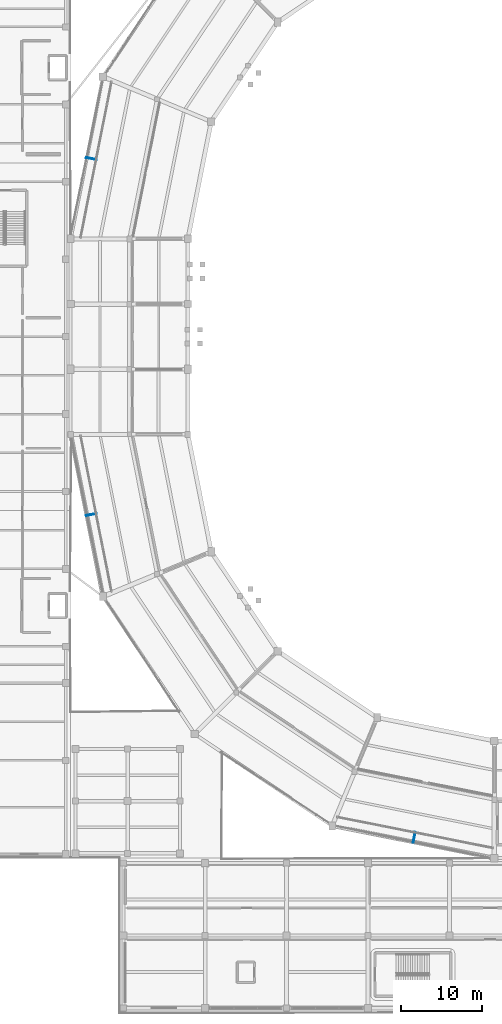
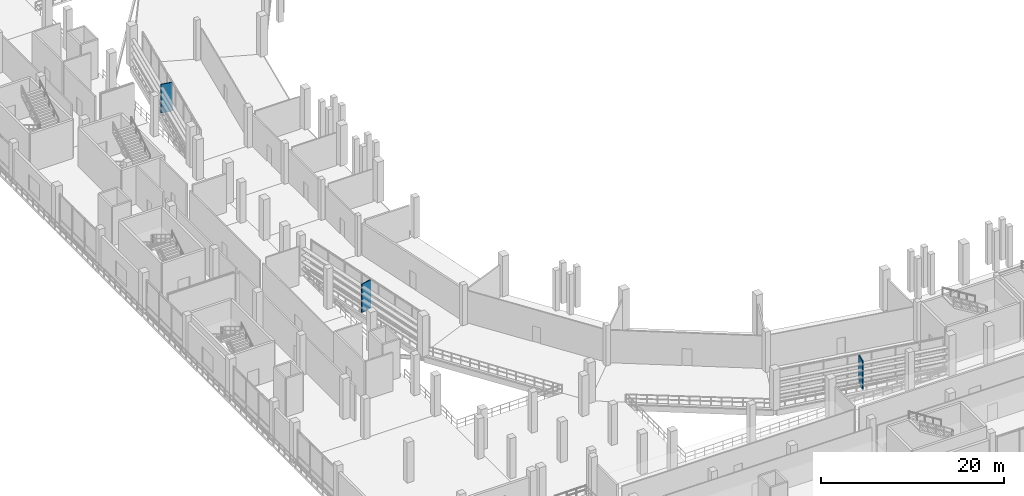
# One storey, part 88 of 114: 3 discrete accessories.
"""IFC4 building model written with IfcOpenShell, lengths in metres."""

from ifc_helpers import new_model, si_unit, direction, frame, origin, origin_2d, place, context, subcontext, project, spatial, rectangle, extrude, material, type_object, element, save


model = new_model("IFC4")

# Units and contexts
model_context = context("Model", 3, precision=1e-05, world=origin(), true_north=direction((0.0, 1.0)))
body_context = subcontext(model_context, "Body", "Model", "MODEL_VIEW")
ifc_project = project(units=[si_unit("LENGTHUNIT", "METRE"), si_unit("AREAUNIT", "SQUARE_METRE"), si_unit("VOLUMEUNIT", "CUBIC_METRE"), si_unit("PLANEANGLEUNIT", "RADIAN"), si_unit("MASSUNIT", "GRAM", prefix="KILO")], contexts=[model_context])

# Site, building, storey
site_placement = place(None, origin())
site = spatial("IfcSite", under=ifc_project, at=site_placement, CompositionType="ELEMENT")
building_placement = place(site_placement, origin())
building = spatial("IfcBuilding", under=site, at=building_placement, Name="Candeia Ridge Stadium", CompositionType="ELEMENT")
storey_placement = place(building_placement, frame((0.0, 0.0, 5.39990234375)))
storey = spatial("IfcBuildingStorey", under=building, at=storey_placement, Name="L01", CompositionType="ELEMENT", Elevation=5.39990234375)

# Discrete accessories
ifc_material = material(Name="Steel ASTM A572 Grade 50", Category="steel")
discrete_accessory_type = type_object("IfcDiscreteAccessoryType", Name="Solar Rib Outrigger Bracket BRK1", PredefinedType="BRACKET", material=ifc_material)
discrete_accessory_placement = place(storey_placement, frame((21.556396484375, 104.8349609375, 0.2001953125), z_axis=(0.0, 0.0, 1.0), x_axis=(-0.980785299134, 0.19509022785, 0.0)))
element("IfcDiscreteAccessory", 1, at=discrete_accessory_placement, inside=storey, type_object=discrete_accessory_type, Name="Solar rib steel outrigger bracket L01 bay 11", PredefinedType="BRACKET", context=body_context, shape_type="SweptSolid", body=[
    extrude(rectangle(XDim=1.35009765625, YDim=0.1201171875, at=origin_2d()), origin(), (0.0, 0.0, 1.0), 3.844970703125),
])
for number, where, z_axis, x_axis, name in (
    (2, (21.556396484375, 61.1650390625, 0.2001953125), (0.0, 0.0, 1.0), (-0.980785299134, -0.19509022785, 0.0), "Solar rib steel outrigger bracket L01 bay 15"),
    (3, (61.1650390625, 21.556396484375, 0.2001953125), (0.0, 0.0, 1.0), (-0.19509022785, -0.980785299134, 0.0), "Solar rib steel outrigger bracket L01 bay 18"),
):
    element("IfcDiscreteAccessory", number, at=place(storey_placement, frame(where, z_axis=z_axis, x_axis=x_axis)), inside=storey, type_object=discrete_accessory_type, Name=name, PredefinedType="BRACKET", context=body_context, shape_type="SweptSolid", body=[
        extrude(rectangle(XDim=1.35009765625, YDim=0.1201171875, at=origin_2d()), origin(), (0.0, 0.0, 1.0), 3.804931640625),
    ])

save(model, "model.ifc")
